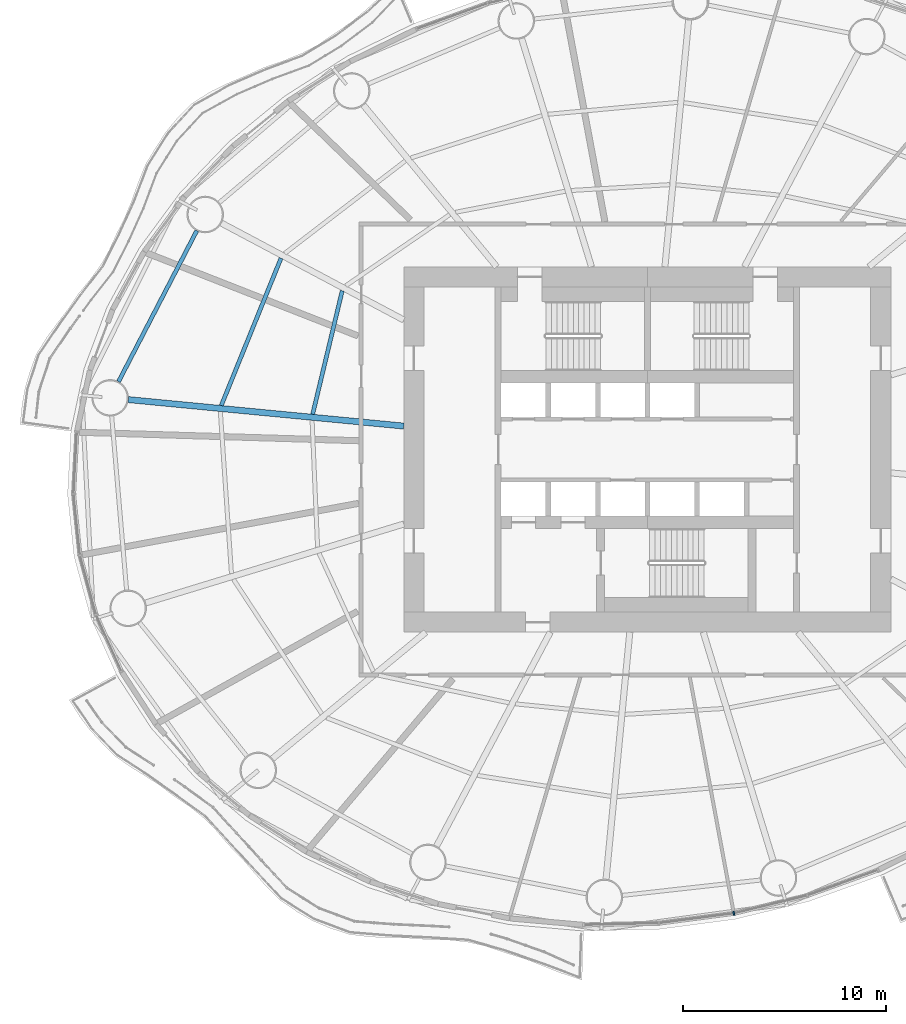
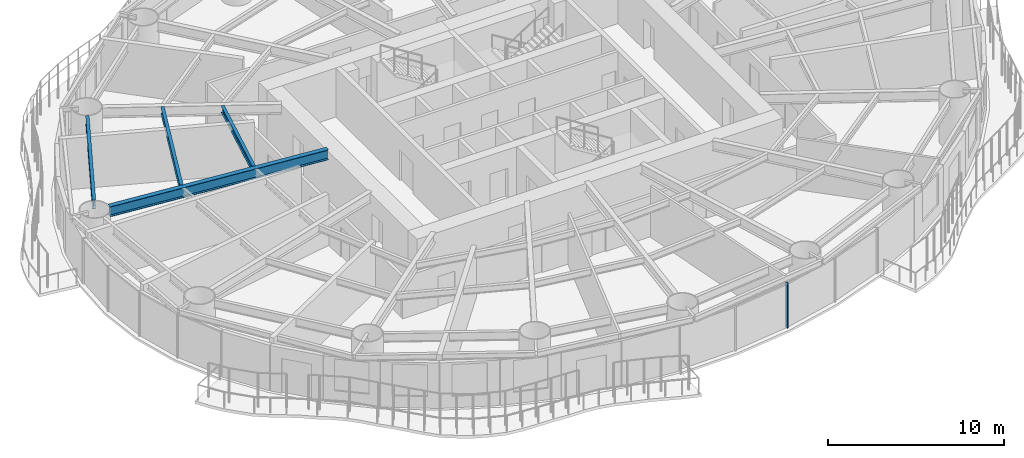
# One storey, part 3 of 17: 4 beams, 1 member, 1 element without a shape of its own.
"""IFC4 building model written with IfcOpenShell, lengths in metres."""

import ifcopenshell
import ifcopenshell.guid

model = None  # the IFC model being written
_history = None  # IfcOwnerHistory: only IFC2X3 demands one
_inside = {}  # id of a spatial element -> (the spatial element, [elements in it])
_under = {}  # id of a project, library or spatial element -> (it, [spatial elements below it])
_declared = {}  # id of a project -> (the project, [libraries it declares])
_typed = {}  # id of a type object -> (the type object, [elements of that type])
_made_of = {}  # id of a material, layer set ... -> (it, [elements and type objects made of it])


def new_model(schema):
    """Start an empty IFC model of exactly this schema.

    Asked for "IFC4X3", IfcOpenShell would pick the latest addendum, in which some entities
    have other attributes; the version numbers below select the first issue.
    IFC2X3 requires an IfcOwnerHistory on every rooted entity: one is made here for all.
    """
    global model, _history
    if schema == "IFC4X3":
        model = ifcopenshell.file(schema_version=(4, 3, 0, 0))
    else:
        model = ifcopenshell.file(schema=schema)
    _inside.clear()
    _under.clear()
    _declared.clear()
    _typed.clear()
    _made_of.clear()
    _history = None
    if model.schema == "IFC2X3":
        org = make("IfcOrganization", Name="unknown")
        user = make(
            "IfcPersonAndOrganization",
            ThePerson=make("IfcPerson", FamilyName="unknown"),
            TheOrganization=org,
        )
        app = make(
            "IfcApplication",
            ApplicationDeveloper=org,
            Version="unknown",
            ApplicationFullName="unknown",
            ApplicationIdentifier="unknown",
        )
        _history = make(
            "IfcOwnerHistory",
            OwningUser=user,
            OwningApplication=app,
            ChangeAction="ADDED",
            CreationDate=0,
        )
    return model


def make(cls, **values):
    """One entity of the class cls with the attributes given. An attribute that is None is left unset."""
    return model.create_entity(
        cls, **{name: value for name, value in values.items() if value is not None}
    )


def rooted(cls, **values):
    """An entity with a GlobalId (a new one), such as an element, a storey or a relation."""
    return make(cls, GlobalId=ifcopenshell.guid.new(), OwnerHistory=_history, **values)


def si_unit(unit_type, name, prefix=None):
    """IfcSIUnit, for example si_unit("LENGTHUNIT", "METRE", prefix="MILLI")."""
    return make("IfcSIUnit", UnitType=unit_type, Prefix=prefix, Name=name)


def assignment(units):
    """IfcUnitAssignment: the units of a project."""
    return None if units is None else make("IfcUnitAssignment", Units=units)


def point(xyz):
    """IfcCartesianPoint."""
    return None if xyz is None else make("IfcCartesianPoint", Coordinates=xyz)


def direction(xyz):
    """IfcDirection."""
    return None if xyz is None else make("IfcDirection", DirectionRatios=xyz)


def frame(location, z_axis=None, x_axis=None):
    """IfcAxis2Placement3D, a coordinate frame: its origin and axes. An axis left out is left unset."""
    return make(
        "IfcAxis2Placement3D",
        Location=point(location),
        Axis=direction(z_axis),
        RefDirection=direction(x_axis),
    )


def frame_2d(location, x_axis=None):
    """IfcAxis2Placement2D, a coordinate frame in the plane: its origin and x axis."""
    return make(
        "IfcAxis2Placement2D", Location=point(location), RefDirection=direction(x_axis)
    )


def origin():
    """The frame at (0, 0, 0) with its axes left unset."""
    return frame((0.0, 0.0, 0.0))


def origin_2d():
    """The frame at (0, 0) in the plane with its x axis left unset."""
    return frame_2d((0.0, 0.0))


def place(relative_to, where):
    """IfcLocalPlacement: puts the frame where relative to a parent placement (None: the world)."""
    return make(
        "IfcLocalPlacement", PlacementRelTo=relative_to, RelativePlacement=where
    )


def context(
    kind, dimensions, precision=None, world=None, true_north=None, identifier=None
):
    """IfcGeometricRepresentationContext, for example the 3D "Model" context."""
    return make(
        "IfcGeometricRepresentationContext",
        ContextIdentifier=identifier,
        ContextType=kind,
        CoordinateSpaceDimension=dimensions,
        Precision=precision,
        WorldCoordinateSystem=world,
        TrueNorth=true_north,
    )


def subcontext(parent, identifier, kind, view, scale=None):
    """IfcGeometricRepresentationSubContext, for example "Body" below "Model"."""
    return make(
        "IfcGeometricRepresentationSubContext",
        ContextIdentifier=identifier,
        ContextType=kind,
        ParentContext=parent,
        TargetScale=scale,
        TargetView=view,
    )


def project(units=None, contexts=None):
    """IfcProject with its units and contexts."""
    return rooted(
        "IfcProject",
        Name="project",
        RepresentationContexts=contexts,
        UnitsInContext=assignment(units),
    )


def spatial(cls, under=None, at=None, **own):
    """A site, building, storey or space (cls), placed at a placement, below another one or the project."""
    s = rooted(cls, ObjectPlacement=at, **own)
    if under is not None:
        _under.setdefault(under.id(), (under, []))[1].append(s)
    return s


def profile(cls, at=None, kind="AREA", **sizes):
    """A parametric profile (cls). Its sizes go by their IFC names, for example OverallWidth=200.0."""
    return make(cls, ProfileType=kind, Position=at, **sizes)


def rectangle(**sizes):
    """IfcRectangleProfileDef."""
    return profile("IfcRectangleProfileDef", **sizes)


def i_section(**sizes):
    """IfcIShapeProfileDef."""
    return profile("IfcIShapeProfileDef", **sizes)


def extrude(swept, where, along, depth):
    """IfcExtrudedAreaSolid: the profile swept, set in the frame where, extruded along a direction by depth."""
    return make(
        "IfcExtrudedAreaSolid",
        SweptArea=swept,
        Position=where,
        ExtrudedDirection=direction(along),
        Depth=depth,
    )


def shape(context_of_items, identifier, shape_type, items):
    """IfcShapeRepresentation: the items that make up one representation, for example the "Body"."""
    return make(
        "IfcShapeRepresentation",
        ContextOfItems=context_of_items,
        RepresentationIdentifier=identifier,
        RepresentationType=shape_type,
        Items=items,
    )


def material(Name=None, Category=None):
    """IfcMaterial."""
    return make("IfcMaterial", Name=Name, Category=Category)


def material_profile(
    of_material, cross_section, Name=None, Category=None, Priority=None
):
    """IfcMaterialProfile: a cross section and its material."""
    return make(
        "IfcMaterialProfile",
        Name=Name,
        Material=of_material,
        Profile=cross_section,
        Priority=Priority,
        Category=Category,
    )


def profile_set(profiles, Name=None, composite=None):
    """IfcMaterialProfileSet."""
    return make(
        "IfcMaterialProfileSet",
        Name=Name,
        MaterialProfiles=profiles,
        CompositeProfile=composite,
    )


def made_of(thing, what):
    """Note that an element or type object is made of a material, layer set ...; save() writes the relation."""
    if what is not None:
        _made_of.setdefault(what.id(), (what, []))[1].append(thing)
    return thing


def type_object(cls, material=None, **own):
    """A type object (cls), such as IfcWallType, which elements share."""
    return made_of(rooted(cls, **own), material)


def element(
    cls,
    number,
    at=None,
    inside=None,
    cuts=None,
    type_object=None,
    material=None,
    context=None,
    identifier="Body",
    shape_type=None,
    held_by="IfcProductDefinitionShape",
    body=None,
    shapes=None,
    **own,
):
    """One element of the class cls, such as IfcWall. Its Tag is "e" and its number.

    at: its placement. inside: the storey or other place that contains it. cuts: it is an
    opening in that element (IfcRelVoidsElement). A single representation is given by context,
    identifier, shape_type and body (its items); several are given by shapes. held_by: the class
    of the entity that holds the representations. save() writes the other relations.
    """
    e = rooted(cls, Tag="e%d" % number, ObjectPlacement=at, **own)
    if body is not None:
        shapes = [shape(context, identifier, shape_type, body)]
    if shapes is not None:
        e.Representation = make(held_by, Representations=shapes)
    if inside is not None:
        _inside.setdefault(inside.id(), (inside, []))[1].append(e)
    if cuts is not None:
        rooted(
            "IfcRelVoidsElement", RelatingBuildingElement=cuts, RelatedOpeningElement=e
        )
    if type_object is not None:
        _typed.setdefault(type_object.id(), (type_object, []))[1].append(e)
    return made_of(e, material)


def aggregate(whole, parts):
    """IfcRelAggregates: a whole, such as a stair, and the parts it consists of."""
    return rooted("IfcRelAggregates", RelatingObject=whole, RelatedObjects=parts)


def save(model, path):
    """Write the relations noted so far, then the file.

    IfcRelAggregates (storeys below a building ...), IfcRelContainedInSpatialStructure (elements
    in a storey), IfcRelDefinesByType, IfcRelAssociatesMaterial and IfcRelDeclares: one each for
    every whole, place, type object, material and project.
    """
    for whole, parts in _under.values():
        aggregate(whole, parts)
    for where, things in _inside.values():
        rooted(
            "IfcRelContainedInSpatialStructure",
            RelatedElements=things,
            RelatingStructure=where,
        )
    for kind, things in _typed.values():
        rooted("IfcRelDefinesByType", RelatedObjects=things, RelatingType=kind)
    for what, things in _made_of.values():
        rooted("IfcRelAssociatesMaterial", RelatedObjects=things, RelatingMaterial=what)
    for by, libraries in _declared.values():
        rooted("IfcRelDeclares", RelatingContext=by, RelatedDefinitions=libraries)
    model.write(path)


model = new_model("IFC4")

# Units and contexts
model_context = context("Model", 3, precision=1e-05, world=origin(), true_north=direction((0.0, 1.0)))
body_context = subcontext(model_context, "Body", "Model", "MODEL_VIEW")
ifc_project = project(units=[si_unit("LENGTHUNIT", "METRE"), si_unit("AREAUNIT", "SQUARE_METRE"), si_unit("VOLUMEUNIT", "CUBIC_METRE"), si_unit("PLANEANGLEUNIT", "RADIAN"), si_unit("MASSUNIT", "GRAM", prefix="KILO")], contexts=[model_context])

# Site, building, storey
site_placement = place(None, origin())
site = spatial("IfcSite", under=ifc_project, at=site_placement, CompositionType="ELEMENT")
building_placement = place(site_placement, origin())
building = spatial("IfcBuilding", under=site, at=building_placement, Name="Vermilion Reach Broadcast Tower", CompositionType="ELEMENT")
storey_placement = place(building_placement, frame((0.0, 0.0, 76.699951171875)))
storey = spatial("IfcBuildingStorey", under=building, at=storey_placement, Name="L16", CompositionType="ELEMENT", Elevation=76.699951171875)

# Beams
ifc_material_1 = material(Name="Steel S355J2", Category="steel")
ifc_material_profile_1 = material_profile(ifc_material_1, i_section(OverallWidth=0.300048828125, OverallDepth=0.699951171875, WebThickness=0.012939453125, FlangeThickness=0.02392578125, at=origin_2d()), Name="S355J2 HN 700x300x13x24")
ifc_profile_set_1 = profile_set([ifc_material_profile_1], Name="Steel S355J2")
beam_type_1 = type_object("IfcBeamType", Name="G1 HN 700x300x13x24", PredefinedType="BEAM", material=ifc_profile_set_1)
beam_1_placement = place(storey_placement, frame((-18.0, 1.1533203125, 3.199951171875), z_axis=(-0.995412178872, 0.095679643363, 0.0), x_axis=(-0.095679643363, -0.995412178872, 0.0)))
element("IfcBeam", 1, at=beam_1_placement, inside=storey, type_object=beam_type_1, Name="Girder G1-08", PredefinedType="BEAM", context=body_context, shape_type="SweptSolid", body=[
    extrude(i_section(OverallWidth=0.300048828125, OverallDepth=0.699951171875, WebThickness=0.012939453125, FlangeThickness=0.02392578125, at=origin_2d()), origin(), (0.0, 0.0, 1.0), 13.630859375),
])
ifc_material_2 = material(Name="Steel S355J2", Category="steel")
ifc_material_profile_2 = material_profile(ifc_material_2, i_section(OverallWidth=0.199951171875, OverallDepth=0.60009765625, WebThickness=0.010986328125, FlangeThickness=0.01708984375, at=origin_2d()), Name="S355J2 HN 600x200x11x17")
ifc_profile_set_2 = profile_set([ifc_material_profile_2], Name="Steel S355J2")
beam_type_2 = type_object("IfcBeamType", Name="RB1 HN 600x200x11x17", PredefinedType="BEAM", material=ifc_profile_set_2)
beam_2_placement = place(storey_placement, frame((-28.194091796875, 10.776611328125, 3.25), z_axis=(-0.460411617218, -0.887705549566, 0.0), x_axis=(0.887705549566, -0.460411617218, 0.0)))
element("IfcBeam", 2, at=beam_2_placement, inside=storey, type_object=beam_type_2, Name="Ring beam RB1-07", PredefinedType="BEAM", context=body_context, shape_type="SweptSolid", body=[
    extrude(i_section(OverallWidth=0.199951171875, OverallDepth=0.60009765625, WebThickness=0.010986328125, FlangeThickness=0.01708984375, at=origin_2d()), origin(), (0.0, 0.0, 1.0), 8.37451171875),
])
ifc_material_3 = material(Name="Steel S355J2", Category="steel")
ifc_material_profile_3 = material_profile(ifc_material_3, i_section(OverallWidth=0.199951171875, OverallDepth=0.449951171875, WebThickness=0.009033203125, FlangeThickness=0.013916015625, at=origin_2d()), Name="S355J2 HN 450x200x9x14")
ifc_profile_set_3 = profile_set([ifc_material_profile_3], Name="Steel S355J2")
beam_type_3 = type_object("IfcBeamType", Name="SB1 HN 450x200x9x14", PredefinedType="BEAM", material=ifc_profile_set_3)
beam_3_placement = place(storey_placement, frame((-21.031005859375, 7.81884765625, 3.324951171875), z_axis=(-0.232844467589, -0.972513986487, 0.0), x_axis=(0.972513986487, -0.232844467589, 0.0)))
element("IfcBeam", 3, at=beam_3_placement, inside=storey, type_object=beam_type_3, Name="Secondary beam SB1-07-1", PredefinedType="BEAM", context=body_context, shape_type="SweptSolid", body=[
    extrude(i_section(OverallWidth=0.199951171875, OverallDepth=0.449951171875, WebThickness=0.009033203125, FlangeThickness=0.013916015625, at=origin_2d()), origin(), (0.0, 0.0, 1.0), 6.25537109375),
])
beam_4_placement = place(storey_placement, frame((-24.046630859375, 9.421630859375, 3.324951171875), z_axis=(-0.375640669938, -0.926765389453, 0.0), x_axis=(0.926765389453, -0.375640669938, 0.0)))
element("IfcBeam", 4, at=beam_4_placement, inside=storey, type_object=beam_type_3, Name="Secondary beam SB1-07-2", PredefinedType="BEAM", context=body_context, shape_type="SweptSolid", body=[
    extrude(i_section(OverallWidth=0.199951171875, OverallDepth=0.449951171875, WebThickness=0.009033203125, FlangeThickness=0.013916015625, at=origin_2d()), origin(), (0.0, 0.0, 1.0), 7.8271484375),
])

# Curtain wall, member
ifc_material_4 = material(Name="Low-e laminated clear glass in aluminium frame", Category="aluminium")
curtain_wall_type = type_object("IfcCurtainWallType", Name="Slot curtain wall", PredefinedType="NOTDEFINED", material=ifc_material_4)
curtain_wall_placement = place(storey_placement, origin())
curtain_wall = element("IfcCurtainWall", 5, at=curtain_wall_placement, inside=storey, type_object=curtain_wall_type, Name="Slot curtain wall L16 36", PredefinedType="NOTDEFINED")
ifc_material_5 = material(Name="Anodised aluminium", Category="aluminium")
ifc_material_profile_4 = material_profile(ifc_material_5, rectangle(XDim=0.199951171875, YDim=0.080078125, at=origin_2d()), Name="Slot mullion 80 x 200")
ifc_profile_set_4 = profile_set([ifc_material_profile_4], Name="Anodised aluminium")
member_type = type_object("IfcMemberType", Name="Slot mullion 80 x 200", PredefinedType="MULLION", material=ifc_profile_set_4)
member_placement = place(storey_placement, frame((-1.740478515625, -22.848876953125, 0.0), z_axis=(0.0, 0.0, 1.0), x_axis=(-0.18326521436, 0.983063508226, 0.0)))
member = element("IfcMember", 6, at=member_placement, type_object=member_type, Name="Slot mullion L16 36", PredefinedType="MULLION", context=body_context, shape_type="SweptSolid", body=[
    extrude(rectangle(XDim=0.199951171875, YDim=0.080078125, at=origin_2d()), origin(), (0.0, 0.0, 1.0), 3.150146484375),
])
aggregate(curtain_wall, [member])

save(model, "model.ifc")
